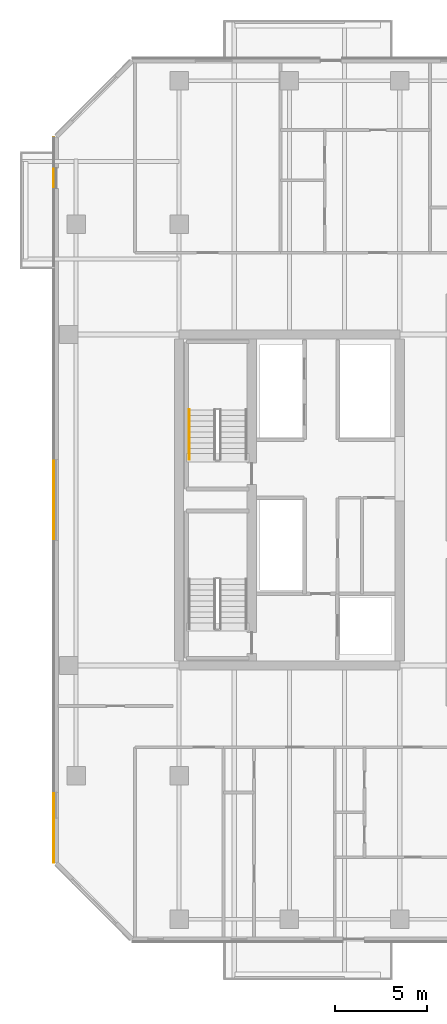
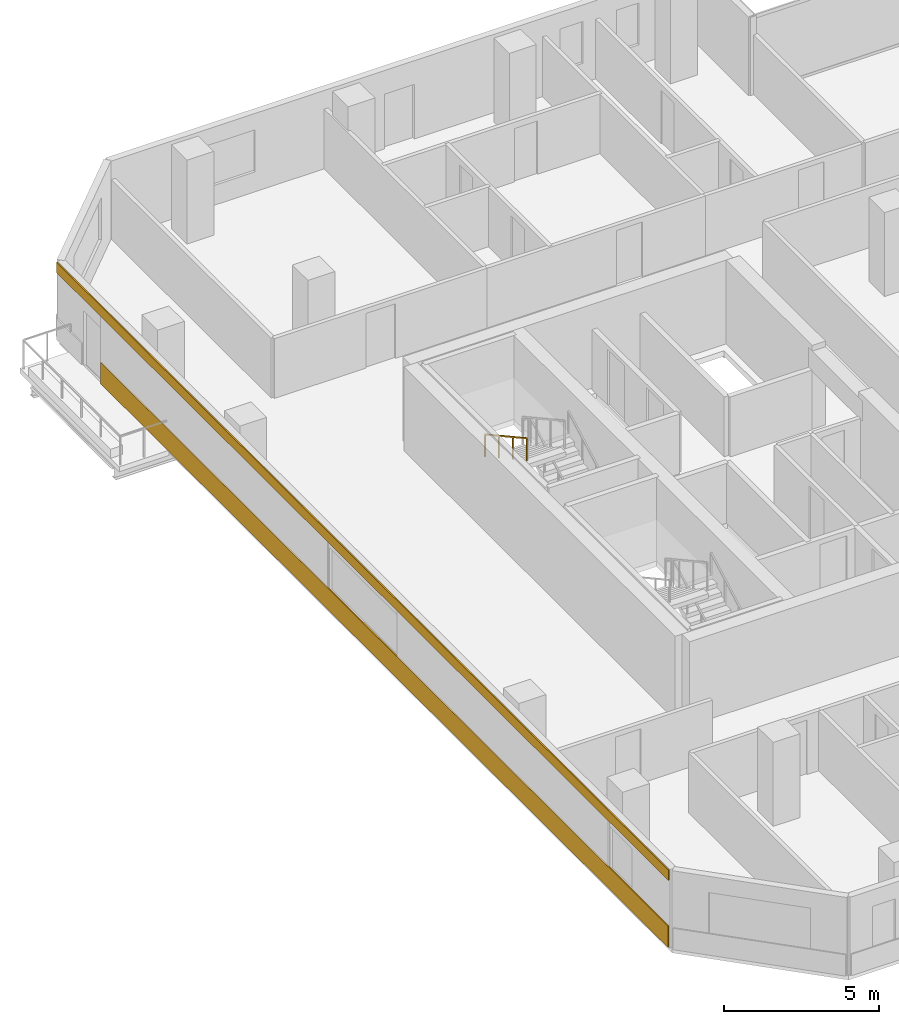
# One storey, part 19 of 23: 2 coverings, 1 railing.
"""IFC4 building model written with IfcOpenShell, lengths in metres."""

from ifc_helpers import new_model, si_unit, direction, frame, origin, origin_2d, place, context, subcontext, project, spatial, rectangle, extrude, material, layer, layer_set, type_object, element, save


model = new_model("IFC4")

# Units and contexts
model_context = context("Model", 3, precision=1e-05, world=origin(), true_north=direction((0.0, 1.0)))
body_context = subcontext(model_context, "Body", "Model", "MODEL_VIEW")
ifc_project = project(units=[si_unit("LENGTHUNIT", "METRE"), si_unit("AREAUNIT", "SQUARE_METRE"), si_unit("VOLUMEUNIT", "CUBIC_METRE"), si_unit("PLANEANGLEUNIT", "RADIAN"), si_unit("MASSUNIT", "GRAM", prefix="KILO")], contexts=[model_context])

# Site, building, storey
site_placement = place(None, origin())
site = spatial("IfcSite", under=ifc_project, at=site_placement, CompositionType="ELEMENT")
building_placement = place(site_placement, origin())
building = spatial("IfcBuilding", under=site, at=building_placement, Name="Tanjung Sevakor Pilgrim Tower", CompositionType="ELEMENT")
storey_placement = place(building_placement, frame((0.0, 0.0, 82.169921875)))
storey = spatial("IfcBuildingStorey", under=building, at=storey_placement, Name="L22", CompositionType="ELEMENT", Elevation=82.169921875)

# Coverings
ifc_material_1 = material(Name="Reconstructed Limestone Cladding", Category="masonry")
ifc_layer = layer(ifc_material_1, 0.044921875)
ifc_layer_set = layer_set([ifc_layer], Name="COV-CLAD-LIMESTONE")
covering_type = type_object("IfcCoveringType", Name="COV-CLAD-LIMESTONE", PredefinedType="CLADDING", material=ifc_layer_set)
covering_1_placement = place(storey_placement, frame((17.177490234375, 32.19091796875, 0.01025390625), z_axis=(0.0, 0.0, 1.0), x_axis=(0.0, -1.0, 0.0)))
element("IfcCovering", 1, at=covering_1_placement, inside=storey, type_object=covering_type, Name="L22 Warm Limestone Sill Spandrel EW-L22-MAIN-15-2", PredefinedType="CLADDING", context=body_context, shape_type="SweptSolid", body=[
    extrude(rectangle(XDim=36.59814453125, YDim=0.044921875, at=origin_2d()), origin(), (0.0, 0.0, 1.0), 0.840087890625),
])
covering_2_placement = place(storey_placement, frame((17.177490234375, 33.60009765625, 2.66015625), z_axis=(0.0, 0.0, 1.0), x_axis=(0.0, -1.0, 0.0)))
element("IfcCovering", 2, at=covering_2_placement, inside=storey, type_object=covering_type, Name="L22 Warm Limestone Cornice Spandrel EW-L22-MAIN-15", PredefinedType="CLADDING", context=body_context, shape_type="SweptSolid", body=[
    extrude(rectangle(XDim=39.456298828125, YDim=0.044921875, at=origin_2d()), origin(), (0.0, 0.0, 1.0), 0.409912109375),
])

# Railing
ifc_material_2 = material(Name="Steel S355J2", Category="steel")
railing_type = type_object("IfcRailingType", Name="RL-STAIR-HAND", PredefinedType="HANDRAIL", material=ifc_material_2)
railing_placement = place(storey_placement, frame((24.550048828125, 38.5, 1.815185546875)))
element("IfcRailing", 3, at=railing_placement, inside=storey, type_object=railing_type, Name="L22 TS-W2 stair handrail 2", PredefinedType="HANDRAIL", context=body_context, shape_type="SweptSolid", body=[
    extrude(rectangle(XDim=0.0479, YDim=0.0479), frame((0.0, 0.0, 0.8759765625), z_axis=(0.0, -0.876230963923, 0.481891375584), x_axis=(1.0, 0.0, 0.0)), (0.0, 0.0, 1.0), 3.081298828125),
    extrude(rectangle(XDim=0.042, YDim=0.042), origin(), (0.0, 0.0, 1.0), 0.851806640625),
    extrude(rectangle(XDim=0.042, YDim=0.042), frame((0.0, -0.89990234375, 0.494873046875)), (0.0, 0.0, 1.0), 0.851806640625),
    extrude(rectangle(XDim=0.042, YDim=0.042), frame((0.0, -1.800048828125, 0.989990234375)), (0.0, 0.0, 1.0), 0.851806640625),
    extrude(rectangle(XDim=0.042, YDim=0.042), frame((0.0, -2.699951171875, 1.48486328125)), (0.0, 0.0, 1.0), 0.851806640625),
])

save(model, "model.ifc")
